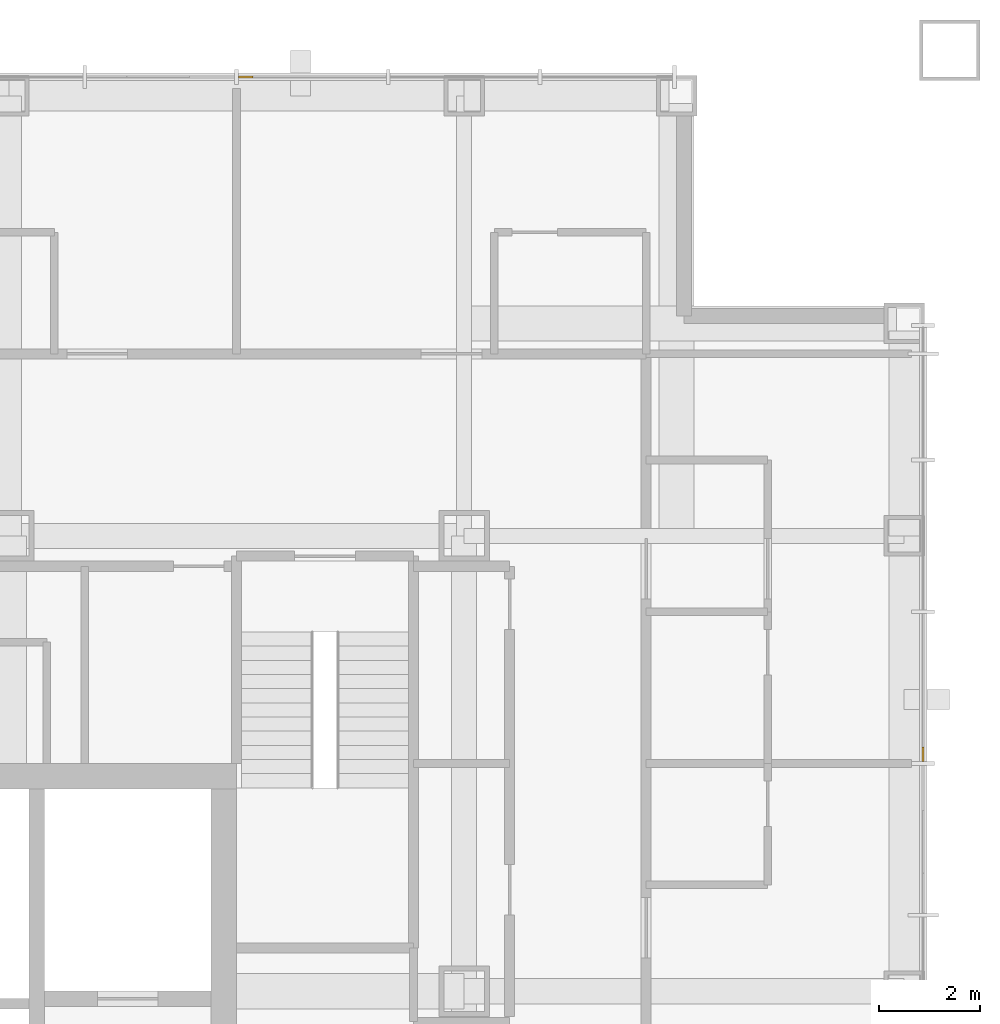
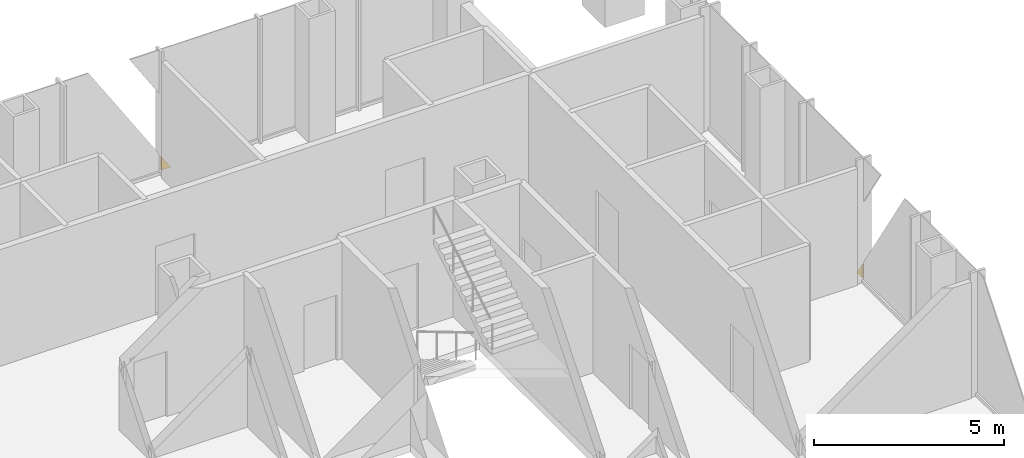
# One storey, part 21 of 21: 2 coverings.
"""IFC4 building model written with IfcOpenShell, lengths in metres."""

from ifc_helpers import new_model, si_unit, direction, frame, origin, place, context, subcontext, project, spatial, polyline, outline, extrude, material, layer, layer_set, type_object, element, save


model = new_model("IFC4")

# Units and contexts
model_context = context("Model", 3, precision=1e-05, world=origin(), true_north=direction((0.0, 1.0)))
body_context = subcontext(model_context, "Body", "Model", "MODEL_VIEW")
ifc_project = project(units=[si_unit("LENGTHUNIT", "METRE"), si_unit("AREAUNIT", "SQUARE_METRE"), si_unit("VOLUMEUNIT", "CUBIC_METRE"), si_unit("PLANEANGLEUNIT", "RADIAN"), si_unit("MASSUNIT", "GRAM", prefix="KILO")], contexts=[model_context])

# Site, building, storey
site_placement = place(None, origin())
site = spatial("IfcSite", under=ifc_project, at=site_placement, CompositionType="ELEMENT")
building_placement = place(site_placement, origin())
building = spatial("IfcBuilding", under=site, at=building_placement, Name="Malebo Sky Hospital", CompositionType="ELEMENT")
storey_placement = place(building_placement, frame((0.0, 0.0, 229.0)))
storey = spatial("IfcBuildingStorey", under=building, at=storey_placement, Name="L55", CompositionType="ELEMENT", Elevation=229.0)

# Coverings
ifc_material = material(Name="Anodised aluminium, natural silver insulated infill panel", Category="aluminium")
ifc_layer = layer(ifc_material, 0.0400390625)
ifc_layer_set = layer_set([ifc_layer], Name="BRACE INFILL PANEL 40")
covering_type = type_object("IfcCoveringType", Name="BRACE INFILL PANEL 40", PredefinedType="CLADDING", material=ifc_layer_set)
covering_1_placement = place(storey_placement, frame((69.1796875, 84.574951171875, 0.10009765625), z_axis=(0.0, 0.0, 1.0), x_axis=(1.0, 0.0, 0.0)))
element("IfcCovering", 1, at=covering_1_placement, inside=storey, type_object=covering_type, Name="Brace infill panel 11.1", PredefinedType="CLADDING", context=body_context, shape_type="SweptSolid", body=[
    extrude(outline(polyline([(-0.14208984375, 0.0), (0.14208984375, 0.0), (-0.14208984375, 0.442626953125), (-0.14208984375, 0.0)])), frame((0.0, 0.02001953125, 0.0), z_axis=(0.0, -1.0, 0.0), x_axis=(1.0, 0.0, 0.0)), (0.0, 0.0, 1.0), 0.0400390625),
])
covering_2_placement = place(storey_placement, frame((82.574951171875, 71.1796875, 0.10009765625), z_axis=(0.0, 0.0, 1.0), x_axis=(0.0, -1.0, 0.0)))
element("IfcCovering", 2, at=covering_2_placement, inside=storey, type_object=covering_type, Name="Brace infill panel 4.1", PredefinedType="CLADDING", context=body_context, shape_type="SweptSolid", body=[
    extrude(outline(polyline([(-0.14208984375, 0.0), (0.14208984375, 0.0), (0.14208984375, 0.442626953125), (-0.14208984375, 0.0)])), frame((0.0, 0.02001953125, 0.0), z_axis=(0.0, -1.0, 0.0), x_axis=(1.0, 0.0, 0.0)), (0.0, 0.0, 1.0), 0.0400390625),
])

save(model, "model.ifc")
